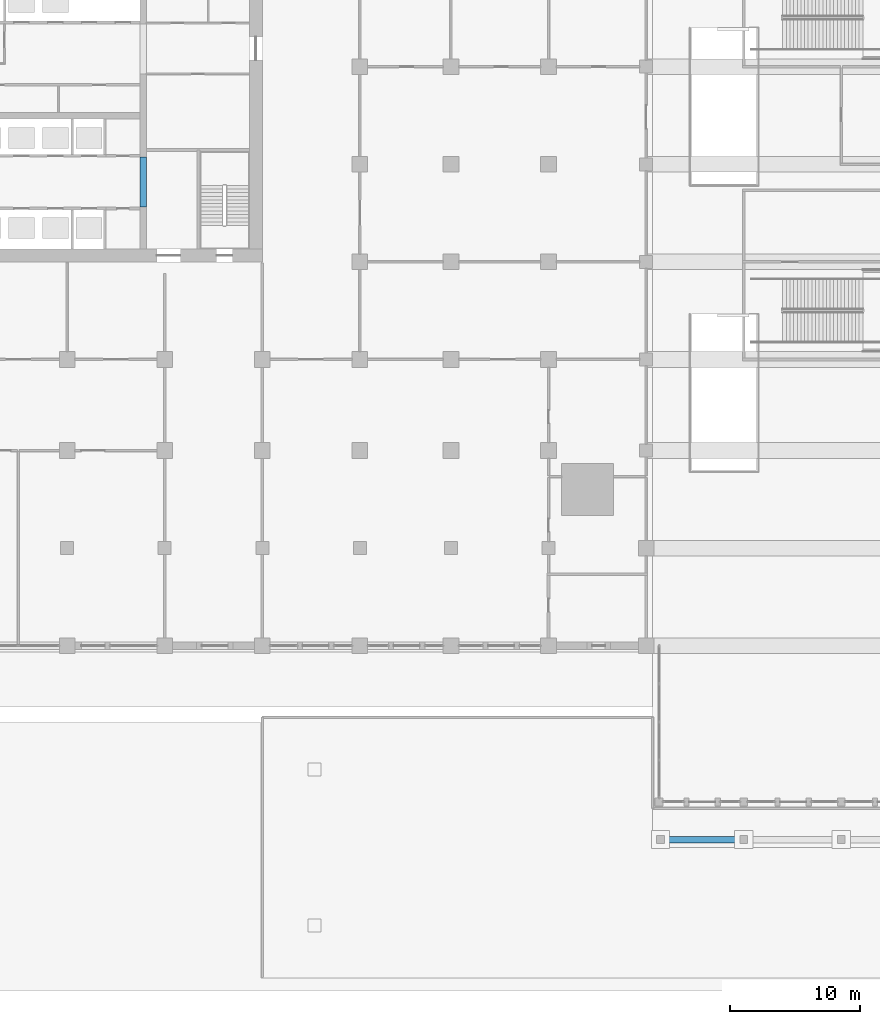
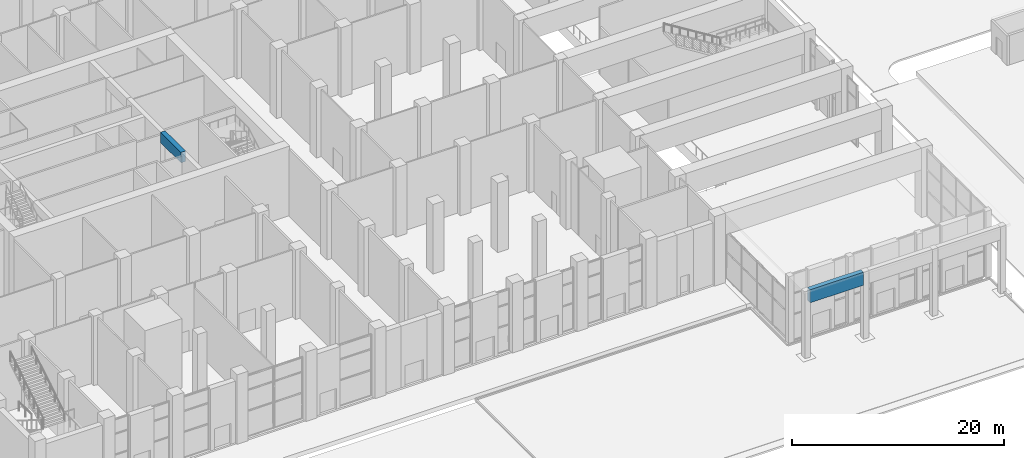
# One storey, part 7 of 57: 2 beams.
"""IFC4 building model written with IfcOpenShell, lengths in metres."""

import ifcopenshell
import ifcopenshell.guid

model = None  # the IFC model being written
_history = None  # IfcOwnerHistory: only IFC2X3 demands one
_inside = {}  # id of a spatial element -> (the spatial element, [elements in it])
_under = {}  # id of a project, library or spatial element -> (it, [spatial elements below it])
_declared = {}  # id of a project -> (the project, [libraries it declares])
_typed = {}  # id of a type object -> (the type object, [elements of that type])
_made_of = {}  # id of a material, layer set ... -> (it, [elements and type objects made of it])


def new_model(schema):
    """Start an empty IFC model of exactly this schema.

    Asked for "IFC4X3", IfcOpenShell would pick the latest addendum, in which some entities
    have other attributes; the version numbers below select the first issue.
    IFC2X3 requires an IfcOwnerHistory on every rooted entity: one is made here for all.
    """
    global model, _history
    if schema == "IFC4X3":
        model = ifcopenshell.file(schema_version=(4, 3, 0, 0))
    else:
        model = ifcopenshell.file(schema=schema)
    _inside.clear()
    _under.clear()
    _declared.clear()
    _typed.clear()
    _made_of.clear()
    _history = None
    if model.schema == "IFC2X3":
        org = make("IfcOrganization", Name="unknown")
        user = make(
            "IfcPersonAndOrganization",
            ThePerson=make("IfcPerson", FamilyName="unknown"),
            TheOrganization=org,
        )
        app = make(
            "IfcApplication",
            ApplicationDeveloper=org,
            Version="unknown",
            ApplicationFullName="unknown",
            ApplicationIdentifier="unknown",
        )
        _history = make(
            "IfcOwnerHistory",
            OwningUser=user,
            OwningApplication=app,
            ChangeAction="ADDED",
            CreationDate=0,
        )
    return model


def make(cls, **values):
    """One entity of the class cls with the attributes given. An attribute that is None is left unset."""
    return model.create_entity(
        cls, **{name: value for name, value in values.items() if value is not None}
    )


def rooted(cls, **values):
    """An entity with a GlobalId (a new one), such as an element, a storey or a relation."""
    return make(cls, GlobalId=ifcopenshell.guid.new(), OwnerHistory=_history, **values)


def si_unit(unit_type, name, prefix=None):
    """IfcSIUnit, for example si_unit("LENGTHUNIT", "METRE", prefix="MILLI")."""
    return make("IfcSIUnit", UnitType=unit_type, Prefix=prefix, Name=name)


def assignment(units):
    """IfcUnitAssignment: the units of a project."""
    return None if units is None else make("IfcUnitAssignment", Units=units)


def point(xyz):
    """IfcCartesianPoint."""
    return None if xyz is None else make("IfcCartesianPoint", Coordinates=xyz)


def direction(xyz):
    """IfcDirection."""
    return None if xyz is None else make("IfcDirection", DirectionRatios=xyz)


def frame(location, z_axis=None, x_axis=None):
    """IfcAxis2Placement3D, a coordinate frame: its origin and axes. An axis left out is left unset."""
    return make(
        "IfcAxis2Placement3D",
        Location=point(location),
        Axis=direction(z_axis),
        RefDirection=direction(x_axis),
    )


def frame_2d(location, x_axis=None):
    """IfcAxis2Placement2D, a coordinate frame in the plane: its origin and x axis."""
    return make(
        "IfcAxis2Placement2D", Location=point(location), RefDirection=direction(x_axis)
    )


def origin():
    """The frame at (0, 0, 0) with its axes left unset."""
    return frame((0.0, 0.0, 0.0))


def origin_2d():
    """The frame at (0, 0) in the plane with its x axis left unset."""
    return frame_2d((0.0, 0.0))


def place(relative_to, where):
    """IfcLocalPlacement: puts the frame where relative to a parent placement (None: the world)."""
    return make(
        "IfcLocalPlacement", PlacementRelTo=relative_to, RelativePlacement=where
    )


def context(
    kind, dimensions, precision=None, world=None, true_north=None, identifier=None
):
    """IfcGeometricRepresentationContext, for example the 3D "Model" context."""
    return make(
        "IfcGeometricRepresentationContext",
        ContextIdentifier=identifier,
        ContextType=kind,
        CoordinateSpaceDimension=dimensions,
        Precision=precision,
        WorldCoordinateSystem=world,
        TrueNorth=true_north,
    )


def subcontext(parent, identifier, kind, view, scale=None):
    """IfcGeometricRepresentationSubContext, for example "Body" below "Model"."""
    return make(
        "IfcGeometricRepresentationSubContext",
        ContextIdentifier=identifier,
        ContextType=kind,
        ParentContext=parent,
        TargetScale=scale,
        TargetView=view,
    )


def project(units=None, contexts=None):
    """IfcProject with its units and contexts."""
    return rooted(
        "IfcProject",
        Name="project",
        RepresentationContexts=contexts,
        UnitsInContext=assignment(units),
    )


def spatial(cls, under=None, at=None, **own):
    """A site, building, storey or space (cls), placed at a placement, below another one or the project."""
    s = rooted(cls, ObjectPlacement=at, **own)
    if under is not None:
        _under.setdefault(under.id(), (under, []))[1].append(s)
    return s


def profile(cls, at=None, kind="AREA", **sizes):
    """A parametric profile (cls). Its sizes go by their IFC names, for example OverallWidth=200.0."""
    return make(cls, ProfileType=kind, Position=at, **sizes)


def rectangle(**sizes):
    """IfcRectangleProfileDef."""
    return profile("IfcRectangleProfileDef", **sizes)


def extrude(swept, where, along, depth):
    """IfcExtrudedAreaSolid: the profile swept, set in the frame where, extruded along a direction by depth."""
    return make(
        "IfcExtrudedAreaSolid",
        SweptArea=swept,
        Position=where,
        ExtrudedDirection=direction(along),
        Depth=depth,
    )


def shape(context_of_items, identifier, shape_type, items):
    """IfcShapeRepresentation: the items that make up one representation, for example the "Body"."""
    return make(
        "IfcShapeRepresentation",
        ContextOfItems=context_of_items,
        RepresentationIdentifier=identifier,
        RepresentationType=shape_type,
        Items=items,
    )


def material(Name=None, Category=None):
    """IfcMaterial."""
    return make("IfcMaterial", Name=Name, Category=Category)


def material_profile(
    of_material, cross_section, Name=None, Category=None, Priority=None
):
    """IfcMaterialProfile: a cross section and its material."""
    return make(
        "IfcMaterialProfile",
        Name=Name,
        Material=of_material,
        Profile=cross_section,
        Priority=Priority,
        Category=Category,
    )


def profile_set(profiles, Name=None, composite=None):
    """IfcMaterialProfileSet."""
    return make(
        "IfcMaterialProfileSet",
        Name=Name,
        MaterialProfiles=profiles,
        CompositeProfile=composite,
    )


def made_of(thing, what):
    """Note that an element or type object is made of a material, layer set ...; save() writes the relation."""
    if what is not None:
        _made_of.setdefault(what.id(), (what, []))[1].append(thing)
    return thing


def type_object(cls, material=None, **own):
    """A type object (cls), such as IfcWallType, which elements share."""
    return made_of(rooted(cls, **own), material)


def element(
    cls,
    number,
    at=None,
    inside=None,
    cuts=None,
    type_object=None,
    material=None,
    context=None,
    identifier="Body",
    shape_type=None,
    held_by="IfcProductDefinitionShape",
    body=None,
    shapes=None,
    **own,
):
    """One element of the class cls, such as IfcWall. Its Tag is "e" and its number.

    at: its placement. inside: the storey or other place that contains it. cuts: it is an
    opening in that element (IfcRelVoidsElement). A single representation is given by context,
    identifier, shape_type and body (its items); several are given by shapes. held_by: the class
    of the entity that holds the representations. save() writes the other relations.
    """
    e = rooted(cls, Tag="e%d" % number, ObjectPlacement=at, **own)
    if body is not None:
        shapes = [shape(context, identifier, shape_type, body)]
    if shapes is not None:
        e.Representation = make(held_by, Representations=shapes)
    if inside is not None:
        _inside.setdefault(inside.id(), (inside, []))[1].append(e)
    if cuts is not None:
        rooted(
            "IfcRelVoidsElement", RelatingBuildingElement=cuts, RelatedOpeningElement=e
        )
    if type_object is not None:
        _typed.setdefault(type_object.id(), (type_object, []))[1].append(e)
    return made_of(e, material)


def aggregate(whole, parts):
    """IfcRelAggregates: a whole, such as a stair, and the parts it consists of."""
    return rooted("IfcRelAggregates", RelatingObject=whole, RelatedObjects=parts)


def save(model, path):
    """Write the relations noted so far, then the file.

    IfcRelAggregates (storeys below a building ...), IfcRelContainedInSpatialStructure (elements
    in a storey), IfcRelDefinesByType, IfcRelAssociatesMaterial and IfcRelDeclares: one each for
    every whole, place, type object, material and project.
    """
    for whole, parts in _under.values():
        aggregate(whole, parts)
    for where, things in _inside.values():
        rooted(
            "IfcRelContainedInSpatialStructure",
            RelatedElements=things,
            RelatingStructure=where,
        )
    for kind, things in _typed.values():
        rooted("IfcRelDefinesByType", RelatedObjects=things, RelatingType=kind)
    for what, things in _made_of.values():
        rooted("IfcRelAssociatesMaterial", RelatedObjects=things, RelatingMaterial=what)
    for by, libraries in _declared.values():
        rooted("IfcRelDeclares", RelatingContext=by, RelatedDefinitions=libraries)
    model.write(path)


model = new_model("IFC4")

# Units and contexts
model_context = context("Model", 3, precision=1e-05, world=origin(), true_north=direction((0.0, 1.0)))
body_context = subcontext(model_context, "Body", "Model", "MODEL_VIEW")
ifc_project = project(units=[si_unit("LENGTHUNIT", "METRE"), si_unit("AREAUNIT", "SQUARE_METRE"), si_unit("VOLUMEUNIT", "CUBIC_METRE"), si_unit("PLANEANGLEUNIT", "RADIAN"), si_unit("MASSUNIT", "GRAM", prefix="KILO")], contexts=[model_context])

# Site, building, storey
site_placement = place(None, origin())
site = spatial("IfcSite", under=ifc_project, at=site_placement, CompositionType="ELEMENT")
building_placement = place(site_placement, origin())
building = spatial("IfcBuilding", under=site, at=building_placement, Name="Tamorin Gate", CompositionType="ELEMENT")
storey_placement = place(building_placement, origin())
storey = spatial("IfcBuildingStorey", under=building, at=storey_placement, Name="L00", CompositionType="ELEMENT", Elevation=0.0)

# Beams
ifc_material_1 = material(Name="Precast concrete C40/50", Category="concrete")
ifc_material_profile_1 = material_profile(ifc_material_1, rectangle(XDim=0.5, YDim=1.5, at=origin_2d()), Name="RC 500x1500")
ifc_profile_set_1 = profile_set([ifc_material_profile_1], Name="Precast concrete C40/50")
beam_type_1 = type_object("IfcBeamType", Name="Portal band beam 500x1500", PredefinedType="BEAM", material=ifc_profile_set_1)
beam_1_placement = place(storey_placement, frame((90.89990234375, 15.60009765625, 6.949951171875), z_axis=(1.0, 0.0, 0.0), x_axis=(0.0, 1.0, 0.0)))
element("IfcBeam", 1, at=beam_1_placement, inside=storey, type_object=beam_type_1, Name="Station entrance band", PredefinedType="BEAM", context=body_context, shape_type="SweptSolid", body=[
    extrude(rectangle(XDim=0.5, YDim=1.5, at=origin_2d()), origin(), (0.0, 0.0, 1.0), 5.800048828125),
])
ifc_material_2 = material(Name="Concrete C80/95", Category="concrete")
ifc_material_profile_2 = material_profile(ifc_material_2, rectangle(XDim=0.5, YDim=1.199951171875, at=origin_2d()), Name="RC 500x1200")
ifc_profile_set_2 = profile_set([ifc_material_profile_2], Name="Concrete C80/95")
beam_type_2 = type_object("IfcBeamType", Name="RC coupling beam 500x1200 C80/95", PredefinedType="BEAM", material=ifc_profile_set_2)
beam_2_placement = place(storey_placement, frame((50.85009765625, 64.199951171875, 7.39990234375), z_axis=(0.0, 1.0, 0.0), x_axis=(-1.0, 0.0, 0.0)))
element("IfcBeam", 2, at=beam_2_placement, inside=storey, type_object=beam_type_2, Name="Coupling beam L00", PredefinedType="BEAM", context=body_context, shape_type="SweptSolid", body=[
    extrude(rectangle(XDim=0.5, YDim=1.199951171875, at=origin_2d()), origin(), (0.0, 0.0, 1.0), 3.85009765625),
])

save(model, "model.ifc")
